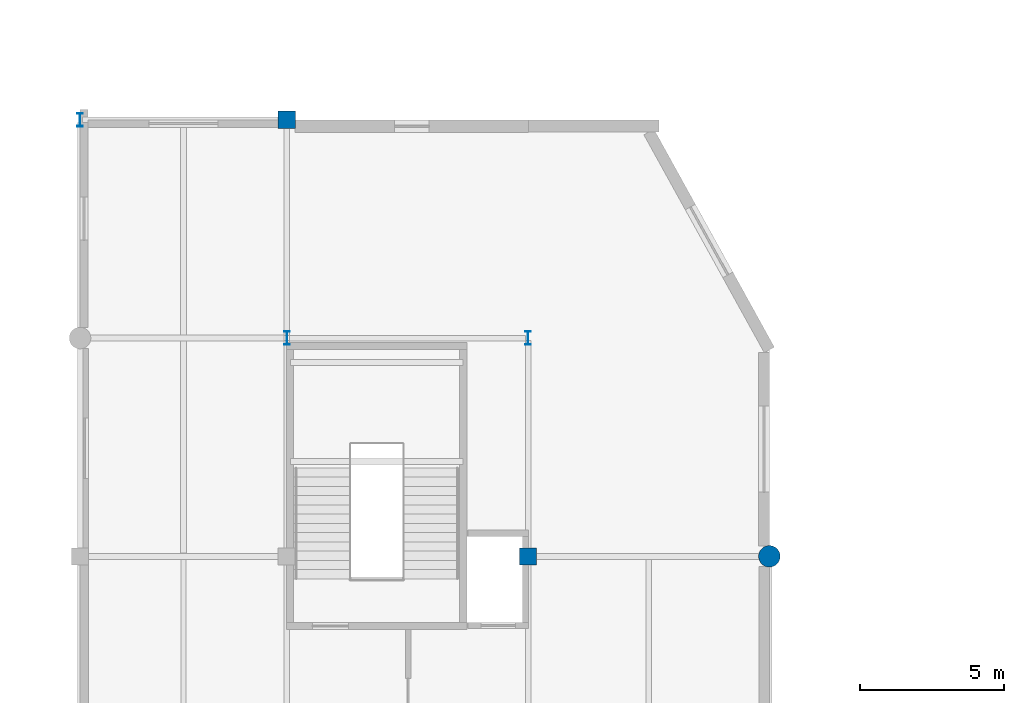
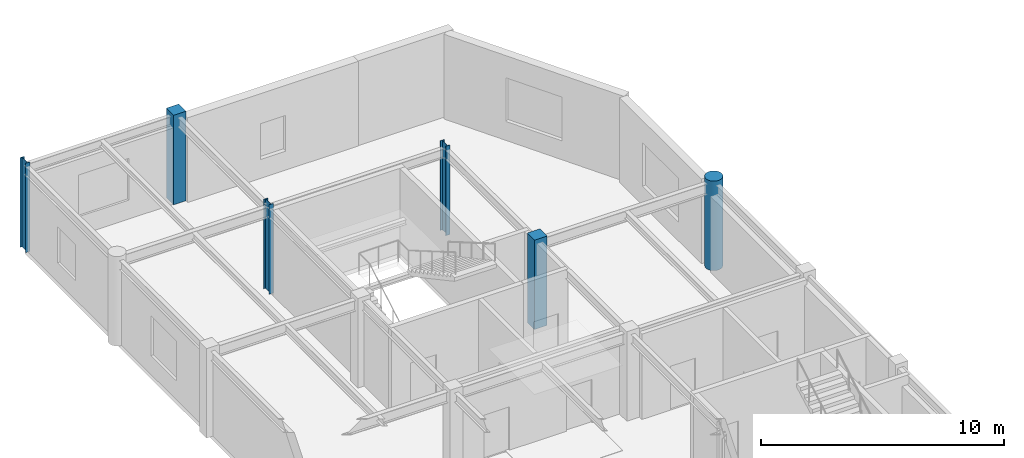
# One storey, part 5 of 28: 6 columns.
"""IFC4 building model written with IfcOpenShell, lengths in metres."""

from ifc_helpers import new_model, si_unit, direction, frame, origin, origin_2d, place, context, subcontext, project, spatial, rectangle, circle, i_section, extrude, material, material_profile, profile_set, type_object, element, save


model = new_model("IFC4")

# Units and contexts
model_context = context("Model", 3, precision=1e-05, world=origin(), true_north=direction((0.0, 1.0)))
body_context = subcontext(model_context, "Body", "Model", "MODEL_VIEW")
ifc_project = project(units=[si_unit("LENGTHUNIT", "METRE"), si_unit("AREAUNIT", "SQUARE_METRE"), si_unit("VOLUMEUNIT", "CUBIC_METRE"), si_unit("PLANEANGLEUNIT", "RADIAN"), si_unit("MASSUNIT", "GRAM", prefix="KILO")], contexts=[model_context])

# Site, building, storey
site_placement = place(None, origin())
site = spatial("IfcSite", under=ifc_project, at=site_placement, CompositionType="ELEMENT")
building_placement = place(site_placement, origin())
building = spatial("IfcBuilding", under=site, at=building_placement, Name="Xicomal Pleat Aquarium", CompositionType="ELEMENT")
storey_placement = place(building_placement, frame((0.0, 0.0, 15.300048828125)))
storey = spatial("IfcBuildingStorey", under=building, at=storey_placement, Name="L04", CompositionType="ELEMENT", Elevation=15.300048828125)

# Columns
ifc_material_1 = material(Name="Concrete C40/50", Category="concrete")
ifc_material_profile_1 = material_profile(ifc_material_1, rectangle(XDim=0.60009765625, YDim=0.60009765625, at=origin_2d()), Name="RC 600x600")
ifc_profile_set_1 = profile_set([ifc_material_profile_1], Name="Concrete C40/50")
column_type_1 = type_object("IfcColumnType", Name="COL-RC-600x600", PredefinedType="COLUMN", material=ifc_profile_set_1)
for number, where, z_axis, x_axis, name in (
    (1, (10.199951171875, 83.60009765625, 0.0), (0.0, 0.0, 1.0), (1.0, 0.0, 0.0), "L04 column 02/M"),
    (2, (18.60009765625, 68.39990234375, 0.0), (0.0, 0.0, 1.0), (1.0, 0.0, 0.0), "L04 column 03/K"),
):
    element("IfcColumn", number, at=place(storey_placement, frame(where, z_axis=z_axis, x_axis=x_axis)), inside=storey, type_object=column_type_1, Name=name, PredefinedType="COLUMN", context=body_context, shape_type="SweptSolid", body=[
        extrude(rectangle(XDim=0.60009765625, YDim=0.60009765625, at=origin_2d()), origin(), (0.0, 0.0, 1.0), 4.5),
    ])
ifc_material_2 = material(Name="Concrete C40/50", Category="concrete")
ifc_material_profile_2 = material_profile(ifc_material_2, circle(Radius=0.375, at=origin_2d()), Name="RCC D750")
ifc_profile_set_2 = profile_set([ifc_material_profile_2], Name="Concrete C40/50")
column_type_2 = type_object("IfcColumnType", Name="COL-RCC-D750", PredefinedType="COLUMN", material=ifc_profile_set_2)
column_placement = place(storey_placement, frame((27.0, 68.39990234375, 0.0), z_axis=(0.0, 0.0, 1.0), x_axis=(1.0, 0.0, 0.0)))
element("IfcColumn", 3, at=column_placement, inside=storey, type_object=column_type_2, Name="L04 column 04/K", PredefinedType="COLUMN", context=body_context, shape_type="SweptSolid", body=[
    extrude(circle(Radius=0.375, at=origin_2d()), origin(), (0.0, 0.0, 1.0), 4.5),
])
ifc_material_3 = material(Name="Structural steel A992 Gr 50", Category="steel")
ifc_material_profile_3 = material_profile(ifc_material_3, i_section(OverallWidth=0.194091796875, OverallDepth=0.468994140625, WebThickness=0.0126953125, FlangeThickness=0.0205078125, at=origin_2d()), Name="IR 460x106")
ifc_profile_set_3 = profile_set([ifc_material_profile_3], Name="Structural steel A992 Gr 50")
column_type_3 = type_object("IfcColumnType", Name="COL-STL-IR460", PredefinedType="COLUMN", material=ifc_profile_set_3)
for number, where, z_axis, x_axis, name in (
    (4, (3.0, 83.60009765625, 0.0), (0.0, 0.0, 1.0), (1.0, 0.0, 0.0), "L04 column 01/M"),
    (5, (10.199951171875, 76.0, 0.0), (0.0, 0.0, 1.0), (1.0, 0.0, 0.0), "L04 column 02/L"),
    (6, (18.60009765625, 76.0, 0.0), (0.0, 0.0, 1.0), (1.0, 0.0, 0.0), "L04 column 03/L"),
):
    element("IfcColumn", number, at=place(storey_placement, frame(where, z_axis=z_axis, x_axis=x_axis)), inside=storey, type_object=column_type_3, Name=name, PredefinedType="COLUMN", context=body_context, shape_type="SweptSolid", body=[
        extrude(i_section(OverallWidth=0.194091796875, OverallDepth=0.468994140625, WebThickness=0.0126953125, FlangeThickness=0.0205078125, at=origin_2d()), origin(), (0.0, 0.0, 1.0), 4.5),
    ])

save(model, "model.ifc")
